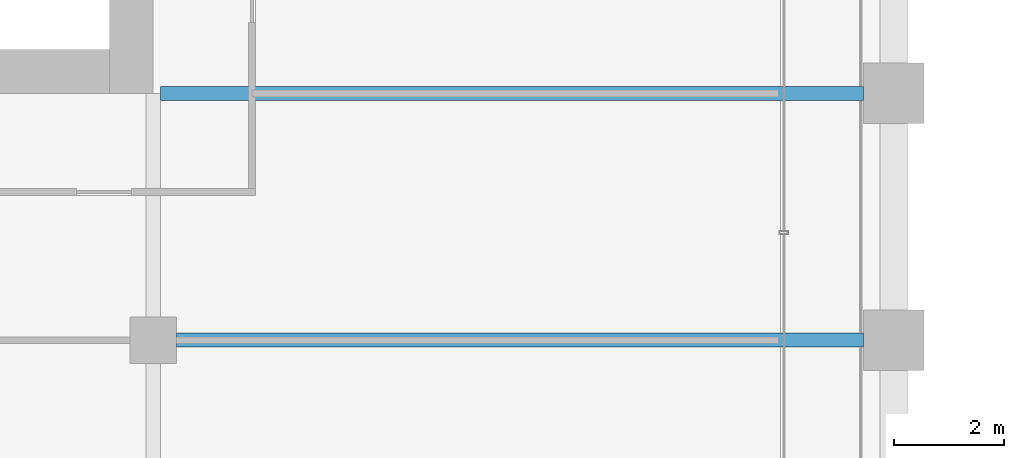
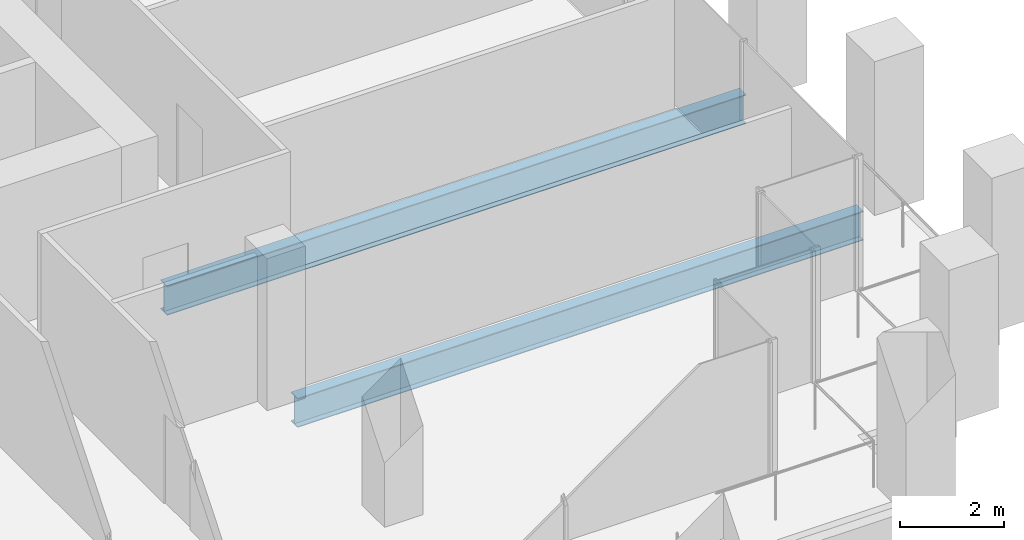
# One storey, part 17 of 56: 2 beams.
"""IFC4 building model written with IfcOpenShell, lengths in metres."""

from ifc_helpers import new_model, si_unit, direction, frame, origin, origin_2d, place, context, subcontext, project, spatial, i_section, extrude, material, material_profile, profile_set, type_object, element, save


model = new_model("IFC4")

# Units and contexts
model_context = context("Model", 3, precision=1e-05, world=origin(), true_north=direction((0.0, 1.0)))
body_context = subcontext(model_context, "Body", "Model", "MODEL_VIEW")
ifc_project = project(units=[si_unit("LENGTHUNIT", "METRE"), si_unit("AREAUNIT", "SQUARE_METRE"), si_unit("VOLUMEUNIT", "CUBIC_METRE"), si_unit("PLANEANGLEUNIT", "RADIAN"), si_unit("MASSUNIT", "GRAM", prefix="KILO")], contexts=[model_context])

# Site, building, storey
site_placement = place(None, origin())
site = spatial("IfcSite", under=ifc_project, at=site_placement, CompositionType="ELEMENT")
building_placement = place(site_placement, origin())
building = spatial("IfcBuilding", under=site, at=building_placement, Name="Altepetl Exchange Towers", CompositionType="ELEMENT")
storey_placement = place(building_placement, frame((0.0, 0.0, 69.0)))
storey = spatial("IfcBuildingStorey", under=building, at=storey_placement, Name="L16", CompositionType="ELEMENT", Elevation=69.0)

# Beams
ifc_material = material(Name="Steel S355", Category="steel")
ifc_material_profile = material_profile(ifc_material, i_section(OverallWidth=0.25390625, OverallDepth=0.68408203125, WebThickness=0.012451171875, FlangeThickness=0.018798828125, at=origin_2d()), Name="W27X94")
ifc_profile_set = profile_set([ifc_material_profile], Name="Steel S355")
beam_type = type_object("IfcBeamType", Name="Floor beam W27X94", PredefinedType="BEAM", material=ifc_profile_set)
beam_1_placement = place(storey_placement, frame((58.925048828125, 36.0, -0.491943359375), z_axis=(1.0, 0.0, 0.0), x_axis=(0.0, 1.0, 0.0)))
element("IfcBeam", 1, at=beam_1_placement, inside=storey, type_object=beam_type, Name="bm:A:L16:007", PredefinedType="BEAM", context=body_context, shape_type="SweptSolid", body=[
    extrude(i_section(OverallWidth=0.25390625, OverallDepth=0.68408203125, WebThickness=0.012451171875, FlangeThickness=0.018798828125, at=origin_2d()), origin(), (0.0, 0.0, 1.0), 12.52490234375),
])
beam_2_placement = place(storey_placement, frame((58.634033203125, 40.5, -0.491943359375), z_axis=(1.0, 0.0, 0.0), x_axis=(0.0, 1.0, 0.0)))
element("IfcBeam", 2, at=beam_2_placement, inside=storey, type_object=beam_type, Name="bm:A:L16:008", PredefinedType="BEAM", context=body_context, shape_type="SweptSolid", body=[
    extrude(i_section(OverallWidth=0.25390625, OverallDepth=0.68408203125, WebThickness=0.012451171875, FlangeThickness=0.018798828125, at=origin_2d()), origin(), (0.0, 0.0, 1.0), 12.81591796875),
])

save(model, "model.ifc")
